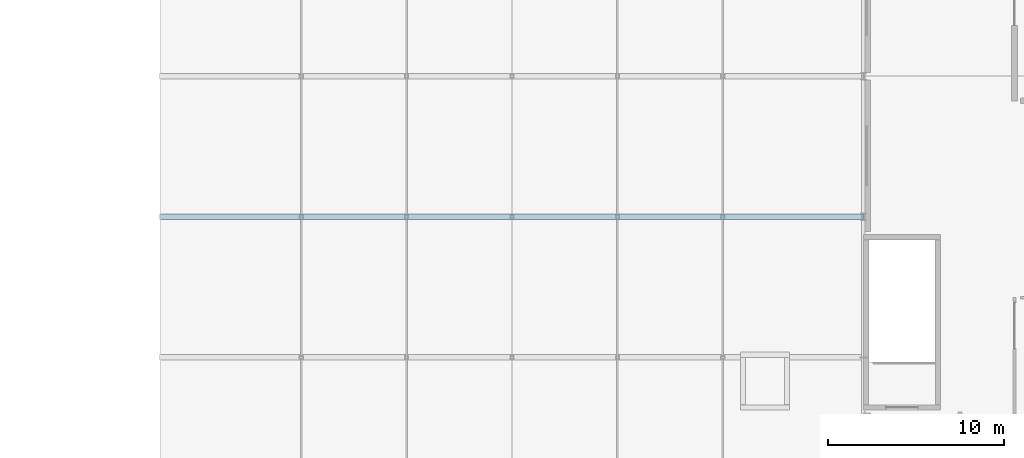
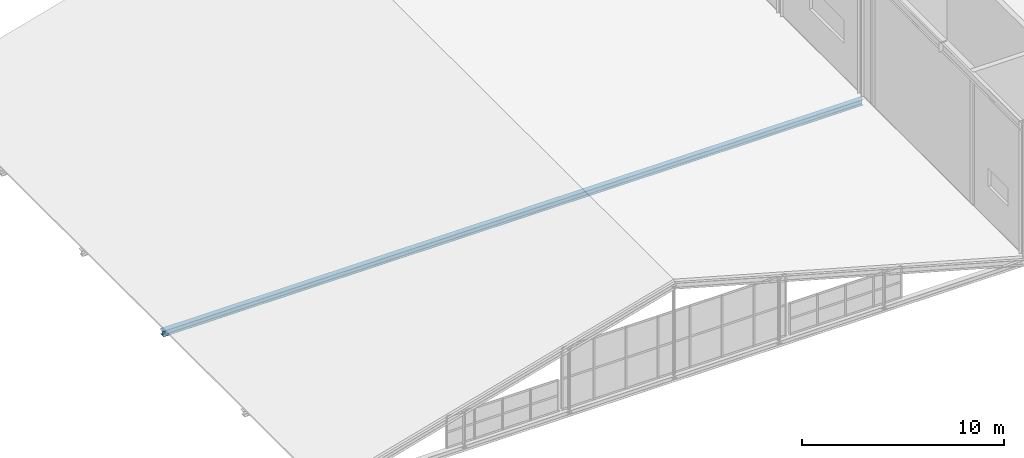
# One storey, part 19 of 49: 1 member.
"""IFC4 building model written with IfcOpenShell, lengths in metres."""

from ifc_helpers import new_model, si_unit, direction, frame, origin, origin_2d, place, context, subcontext, project, spatial, i_section, extrude, material, material_profile, profile_set, type_object, element, save


model = new_model("IFC4")

# Units and contexts
model_context = context("Model", 3, precision=1e-05, world=origin(), true_north=direction((0.0, 1.0)))
body_context = subcontext(model_context, "Body", "Model", "MODEL_VIEW")
ifc_project = project(units=[si_unit("LENGTHUNIT", "METRE"), si_unit("AREAUNIT", "SQUARE_METRE"), si_unit("VOLUMEUNIT", "CUBIC_METRE"), si_unit("PLANEANGLEUNIT", "RADIAN"), si_unit("MASSUNIT", "GRAM", prefix="KILO")], contexts=[model_context])

# Site, building, storey
site_placement = place(None, origin())
site = spatial("IfcSite", under=ifc_project, at=site_placement, CompositionType="ELEMENT")
building_placement = place(site_placement, origin())
building = spatial("IfcBuilding", under=site, at=building_placement, Name="Sundkrona Museum", CompositionType="ELEMENT")
storey_placement = place(building_placement, frame((0.0, 0.0, 26.0)))
storey = spatial("IfcBuildingStorey", under=building, at=storey_placement, Name="L05", CompositionType="ELEMENT", Elevation=26.0)

# Member
ifc_material = material(Name="Steel S355J2", Category="steel")
ifc_material_profile = material_profile(ifc_material, i_section(OverallWidth=0.300048828125, OverallDepth=0.35009765625, WebThickness=0.010009765625, FlangeThickness=0.017578125, FilletRadius=0.027099609375, at=origin_2d()), Name="HEA 360")
ifc_profile_set = profile_set([ifc_material_profile], Name="Steel S355J2")
member_type = type_object("IfcMemberType", Name="TC-HEA360", PredefinedType="CHORD", material=ifc_profile_set)
member_placement = place(storey_placement, frame((80.0, 16.0, -0.39990234375), z_axis=(1.0, 0.0, 0.0), x_axis=(0.0, 1.0, 0.0)))
element("IfcMember", 1, at=member_placement, inside=storey, type_object=member_type, Name="RFS-1 Atrium Truss 3 Continuous Tie Chord", PredefinedType="CHORD", context=body_context, shape_type="SweptSolid", body=[
    extrude(i_section(OverallWidth=0.300048828125, OverallDepth=0.35009765625, WebThickness=0.010009765625, FlangeThickness=0.017578125, FilletRadius=0.027099609375, at=origin_2d()), origin(), (0.0, 0.0, 1.0), 40.0),
])

save(model, "model.ifc")
